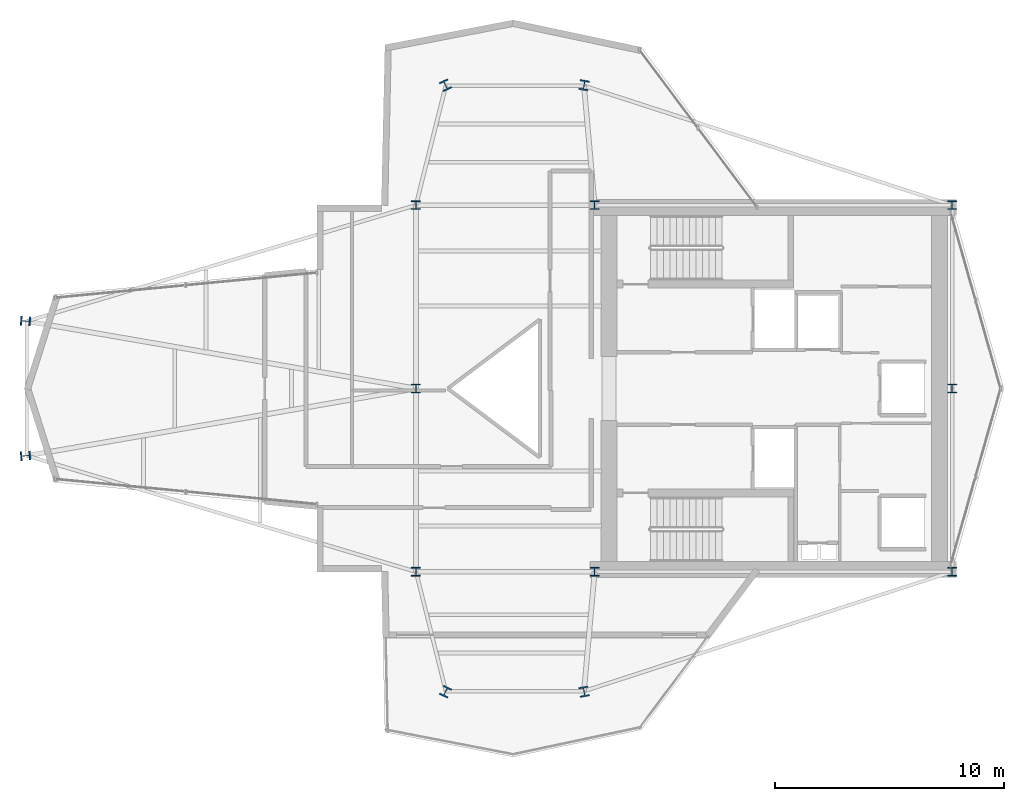
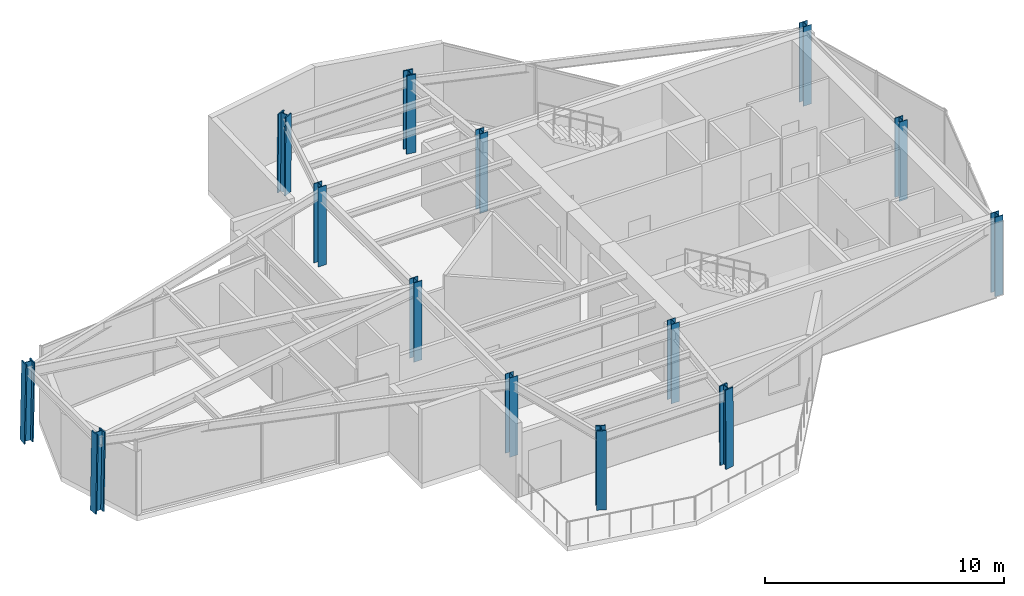
# One storey, part 1 of 18: 14 columns.
"""IFC4 building model written with IfcOpenShell, lengths in metres."""

from ifc_helpers import new_model, si_unit, direction, frame, origin, origin_2d, place, context, subcontext, project, spatial, i_section, extrude, material, material_profile, profile_set, type_object, element, save


model = new_model("IFC4")

# Units and contexts
model_context = context("Model", 3, precision=1e-05, world=origin(), true_north=direction((0.0, 1.0)))
body_context = subcontext(model_context, "Body", "Model", "MODEL_VIEW")
ifc_project = project(units=[si_unit("LENGTHUNIT", "METRE"), si_unit("AREAUNIT", "SQUARE_METRE"), si_unit("VOLUMEUNIT", "CUBIC_METRE"), si_unit("PLANEANGLEUNIT", "RADIAN"), si_unit("MASSUNIT", "GRAM", prefix="KILO")], contexts=[model_context])

# Site, building, storey
site_placement = place(None, origin())
site = spatial("IfcSite", under=ifc_project, at=site_placement, CompositionType="ELEMENT")
building_placement = place(site_placement, origin())
building = spatial("IfcBuilding", under=site, at=building_placement, Name="Veymaron Broadcast Tower", CompositionType="ELEMENT")
storey_placement = place(building_placement, frame((0.0, 0.0, 236.39990234375)))
storey = spatial("IfcBuildingStorey", under=building, at=storey_placement, Name="L55", CompositionType="ELEMENT", Elevation=236.39990234375)

# Columns
ifc_material_1 = material(Name="Structural steel ASTM A992 Gr 50", Category="steel")
ifc_material_profile_1 = material_profile(ifc_material_1, i_section(OverallWidth=0.39404296875, OverallDepth=0.375, WebThickness=0.017333984375, FlangeThickness=0.027587890625, at=origin_2d()), Name="W360X216")
ifc_profile_set_1 = profile_set([ifc_material_profile_1], Name="Structural steel ASTM A992 Gr 50")
column_type_1 = type_object("IfcColumnType", Name="COL-HC3", PredefinedType="COLUMN", material=ifc_profile_set_1)
for number, where, z_axis, x_axis, name in (
    (1, (31.199951171875, 16.0, 0.0), (0.0, 0.0, 1.0), (1.0, 0.0, 0.0), "L55 structural hub and core column"),
    (2, (31.199951171875, 24.0, 0.0), (0.0, 0.0, 1.0), (1.0, 0.0, 0.0), "L55 structural hub and core column"),
    (3, (31.199951171875, 32.0, 0.0), (0.0, 0.0, 1.0), (1.0, 0.0, 0.0), "L55 structural hub and core column"),
    (4, (39.0, 16.0, 0.0), (0.0, 0.0, 1.0), (1.0, 0.0, 0.0), "L55 structural hub and core column"),
    (5, (39.0, 32.0, 0.0), (0.0, 0.0, 1.0), (1.0, 0.0, 0.0), "L55 structural hub and core column"),
    (6, (54.60009765625, 16.0, 0.0), (0.0, 0.0, 1.0), (1.0, 0.0, 0.0), "L55 structural hub and core column"),
    (7, (54.60009765625, 24.0, 0.0), (0.0, 0.0, 1.0), (1.0, 0.0, 0.0), "L55 structural hub and core column"),
    (8, (54.60009765625, 32.0, 0.0), (0.0, 0.0, 1.0), (1.0, 0.0, 0.0), "L55 structural hub and core column"),
):
    element("IfcColumn", number, at=place(storey_placement, frame(where, z_axis=z_axis, x_axis=x_axis)), inside=storey, type_object=column_type_1, Name=name, PredefinedType="COLUMN", context=body_context, shape_type="SweptSolid", body=[
        extrude(i_section(OverallWidth=0.39404296875, OverallDepth=0.375, WebThickness=0.017333984375, FlangeThickness=0.027587890625, at=origin_2d()), origin(), (0.0, 0.0, 1.0), 4.044189453125),
    ])
ifc_material_2 = material(Name="Structural steel ASTM A913 Gr 65", Category="steel")
ifc_material_profile_2 = material_profile(ifc_material_2, i_section(OverallWidth=0.412109375, OverallDepth=0.43505859375, WebThickness=0.035888671875, FlangeThickness=0.05810546875, at=origin_2d()), Name="W360X463")
ifc_profile_set_2 = profile_set([ifc_material_profile_2], Name="Structural steel ASTM A913 Gr 65")
column_type_2 = type_object("IfcColumnType", Name="COL-MC3", PredefinedType="COLUMN", material=ifc_profile_set_2)
for number, where, z_axis, x_axis, name in (
    (9, (14.14794921875, 21.06005859375, 0.01611328125), (0.017192730708, 0.001215033972, 0.999851455819), (-0.070495554316, 0.997512093572, 0.0), "L55 Tapered Wing Mega Column"),
    (10, (14.14794921875, 26.93994140625, 0.01611328125), (0.017192730708, -0.001215033972, 0.999851455819), (0.070495554316, 0.997512093572, 0.0), "L55 Tapered Wing Mega Column"),
):
    element("IfcColumn", number, at=place(storey_placement, frame(where, z_axis=z_axis, x_axis=x_axis)), inside=storey, type_object=column_type_2, Name=name, PredefinedType="COLUMN", context=body_context, shape_type="SweptSolid", body=[
        extrude(i_section(OverallWidth=0.412109375, OverallDepth=0.43505859375, WebThickness=0.035888671875, FlangeThickness=0.05810546875, at=origin_2d()), origin(), (0.0, 0.0, 1.0), 4.0185546875),
    ])
column_1_placement = place(storey_placement, frame((32.488037109375, 37.239990234375, 0.01611328125), z_axis=(0.003463243796, -0.00747331556, 0.999966077173), x_axis=(0.907310606534, 0.420461012784, 0.0)))
element("IfcColumn", 11, at=column_1_placement, inside=storey, type_object=column_type_2, Name="L55 Tapered Wing Mega Column", PredefinedType="COLUMN", context=body_context, shape_type="SweptSolid", body=[
    extrude(i_section(OverallWidth=0.412109375, OverallDepth=0.43505859375, WebThickness=0.035888671875, FlangeThickness=0.05810546875, at=origin_2d()), origin(), (0.0, 0.0, 1.0), 4.018310546875),
])
column_2_placement = place(storey_placement, frame((38.5400390625, 37.239990234375, 0.01611328125), z_axis=(-0.001275938538, -0.007473354295, 0.999971260065), x_axis=(0.98573642551, -0.168296462892, 0.0)))
element("IfcColumn", 12, at=column_2_placement, inside=storey, type_object=column_type_2, Name="L55 Tapered Wing Mega Column", PredefinedType="COLUMN", context=body_context, shape_type="SweptSolid", body=[
    extrude(i_section(OverallWidth=0.412109375, OverallDepth=0.43505859375, WebThickness=0.035888671875, FlangeThickness=0.05810546875, at=origin_2d()), origin(), (0.0, 0.0, 1.0), 4.01806640625),
])
column_3_placement = place(storey_placement, frame((32.488037109375, 10.760009765625, 0.01611328125), z_axis=(0.003463243796, 0.00747331556, 0.999966077173), x_axis=(-0.907310606534, 0.420461012784, 0.0)))
element("IfcColumn", 13, at=column_3_placement, inside=storey, type_object=column_type_2, Name="L55 Tapered Wing Mega Column", PredefinedType="COLUMN", context=body_context, shape_type="SweptSolid", body=[
    extrude(i_section(OverallWidth=0.412109375, OverallDepth=0.43505859375, WebThickness=0.035888671875, FlangeThickness=0.05810546875, at=origin_2d()), origin(), (0.0, 0.0, 1.0), 4.018310546875),
])
column_4_placement = place(storey_placement, frame((38.5400390625, 10.760009765625, 0.01611328125), z_axis=(-0.001275938538, 0.007473354295, 0.999971260065), x_axis=(-0.98573642551, -0.168296462892, 0.0)))
element("IfcColumn", 14, at=column_4_placement, inside=storey, type_object=column_type_2, Name="L55 Tapered Wing Mega Column", PredefinedType="COLUMN", context=body_context, shape_type="SweptSolid", body=[
    extrude(i_section(OverallWidth=0.412109375, OverallDepth=0.43505859375, WebThickness=0.035888671875, FlangeThickness=0.05810546875, at=origin_2d()), origin(), (0.0, 0.0, 1.0), 4.01806640625),
])

save(model, "model.ifc")
